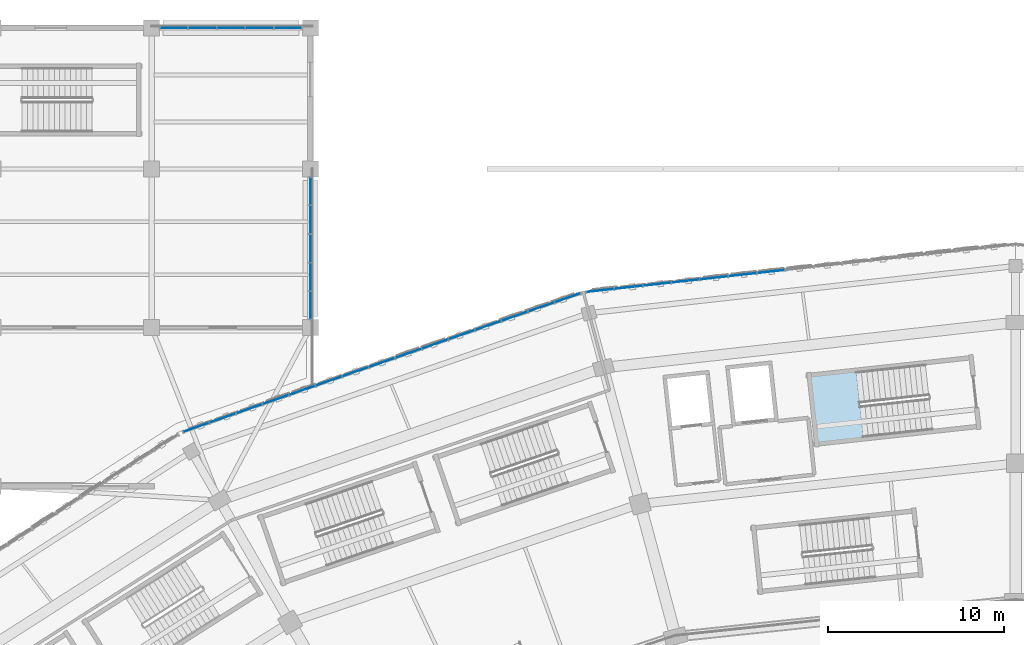
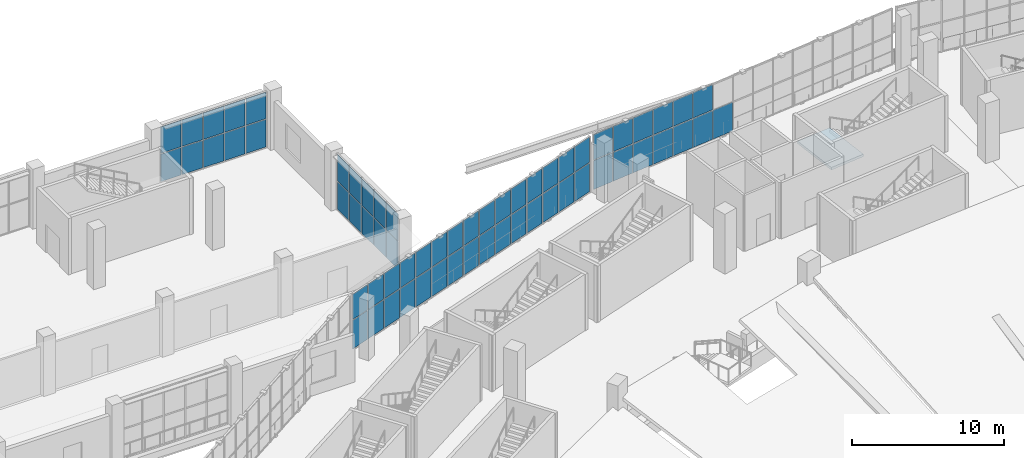
# One storey, part 91 of 183: 63 plates, 1 slab, 5 elements without a shape of their own.
"""IFC4 building model written with IfcOpenShell, lengths in metres."""

from ifc_helpers import new_model, si_unit, direction, frame, origin, origin_2d, place, context, subcontext, project, spatial, polyline, rectangle, outline, extrude, material, layer, layer_set, type_object, element, aggregate, save


model = new_model("IFC4")

# Units and contexts
model_context = context("Model", 3, precision=1e-05, world=origin(), true_north=direction((0.0, 1.0)))
body_context = subcontext(model_context, "Body", "Model", "MODEL_VIEW")
ifc_project = project(units=[si_unit("LENGTHUNIT", "METRE"), si_unit("AREAUNIT", "SQUARE_METRE"), si_unit("VOLUMEUNIT", "CUBIC_METRE"), si_unit("PLANEANGLEUNIT", "RADIAN"), si_unit("MASSUNIT", "GRAM", prefix="KILO")], contexts=[model_context])

# Site, building, storey
site_placement = place(None, origin())
site = spatial("IfcSite", under=ifc_project, at=site_placement, CompositionType="ELEMENT")
building_placement = place(site_placement, origin())
building = spatial("IfcBuilding", under=site, at=building_placement, Name="Zevraka Park Crest Stadium", CompositionType="ELEMENT")
storey_placement = place(building_placement, frame((0.0, 0.0, 5.39990234375)))
storey = spatial("IfcBuildingStorey", under=building, at=storey_placement, Name="L01", CompositionType="ELEMENT", Elevation=5.39990234375)

# Curtain wall, plates
ifc_material_1 = material(Name="Anodised architectural aluminium and laminated safety glass", Category="aluminium")
curtain_wall_type_1 = type_object("IfcCurtainWallType", Name="CW01", PredefinedType="NOTDEFINED", material=ifc_material_1)
curtain_wall_1_placement = place(storey_placement, origin())
curtain_wall_1 = element("IfcCurtainWall", 1, at=curtain_wall_1_placement, inside=storey, type_object=curtain_wall_type_1, Name="Unitised Ring Curtain Wall CW01 L01-06", PredefinedType="NOTDEFINED")
ifc_material_2 = material(Name="Solar-control laminated double glazing", Category="glass")
ifc_layer_1 = layer(ifc_material_2, 0.028076171875)
ifc_layer_set_1 = layer_set([ifc_layer_1], Name="Solar-control laminated double glazing")
plate_type_1 = type_object("IfcPlateType", Name="CP01", PredefinedType="CURTAIN_PANEL", material=ifc_layer_set_1)
plate_1_placement = place(storey_placement, frame((98.123779296875, 170.181884765625, 0.06005859375), z_axis=(0.0, 0.0, 1.0), x_axis=(-0.993916668414, -0.110134718639, 0.0)))
plate_1 = element("IfcPlate", 2, at=plate_1_placement, type_object=plate_type_1, Name="CW01 panel 9.1", PredefinedType="CURTAIN_PANEL", context=body_context, shape_type="SweptSolid", body=[
    extrude(rectangle(XDim=1.567138671875, YDim=0.028076171875, at=origin_2d()), origin(), (0.0, 0.0, 1.0), 2.31005859375),
])
plate_2_placement = place(storey_placement, frame((96.506591796875, 170.002685546875, 0.06005859375), z_axis=(0.0, 0.0, 1.0), x_axis=(-0.993916668414, -0.110134718639, 0.0)))
plate_2 = element("IfcPlate", 3, at=plate_2_placement, type_object=plate_type_1, Name="CW01 panel 10.1", PredefinedType="CURTAIN_PANEL", context=body_context, shape_type="SweptSolid", body=[
    extrude(rectangle(XDim=1.567138671875, YDim=0.028076171875, at=origin_2d()), origin(), (0.0, 0.0, 1.0), 2.31005859375),
])
plate_3_placement = place(storey_placement, frame((96.506591796875, 170.002685546875, 2.43017578125), z_axis=(0.0, 0.0, 1.0), x_axis=(-0.993916668414, -0.110134718639, 0.0)))
plate_3 = element("IfcPlate", 4, at=plate_3_placement, type_object=plate_type_1, Name="CW01 panel 10.2", PredefinedType="CURTAIN_PANEL", context=body_context, shape_type="SweptSolid", body=[
    extrude(rectangle(XDim=1.567138671875, YDim=0.028076171875, at=origin_2d()), origin(), (0.0, 0.0, 1.0), 2.030029296875),
])
plate_4_placement = place(storey_placement, frame((94.889404296875, 169.823486328125, 0.06005859375), z_axis=(0.0, 0.0, 1.0), x_axis=(-0.993916668414, -0.110134718639, 0.0)))
plate_4 = element("IfcPlate", 5, at=plate_4_placement, type_object=plate_type_1, Name="CW01 panel 11.1", PredefinedType="CURTAIN_PANEL", context=body_context, shape_type="SweptSolid", body=[
    extrude(rectangle(XDim=1.567138671875, YDim=0.028076171875, at=origin_2d()), origin(), (0.0, 0.0, 1.0), 2.31005859375),
])
plate_5_placement = place(storey_placement, frame((94.889404296875, 169.823486328125, 2.43017578125), z_axis=(0.0, 0.0, 1.0), x_axis=(-0.993916668414, -0.110134718639, 0.0)))
plate_5 = element("IfcPlate", 6, at=plate_5_placement, type_object=plate_type_1, Name="CW01 panel 11.2", PredefinedType="CURTAIN_PANEL", context=body_context, shape_type="SweptSolid", body=[
    extrude(rectangle(XDim=1.567138671875, YDim=0.028076171875, at=origin_2d()), origin(), (0.0, 0.0, 1.0), 2.030029296875),
])
plate_6_placement = place(storey_placement, frame((93.272216796875, 169.644287109375, 0.06005859375), z_axis=(0.0, 0.0, 1.0), x_axis=(-0.993916668414, -0.110134718639, 0.0)))
plate_6 = element("IfcPlate", 7, at=plate_6_placement, type_object=plate_type_1, Name="CW01 panel 12.1", PredefinedType="CURTAIN_PANEL", context=body_context, shape_type="SweptSolid", body=[
    extrude(rectangle(XDim=1.567138671875, YDim=0.028076171875, at=origin_2d()), origin(), (0.0, 0.0, 1.0), 2.31005859375),
])
plate_7_placement = place(storey_placement, frame((93.272216796875, 169.644287109375, 2.43017578125), z_axis=(0.0, 0.0, 1.0), x_axis=(-0.993916668414, -0.110134718639, 0.0)))
plate_7 = element("IfcPlate", 8, at=plate_7_placement, type_object=plate_type_1, Name="CW01 panel 12.2", PredefinedType="CURTAIN_PANEL", context=body_context, shape_type="SweptSolid", body=[
    extrude(rectangle(XDim=1.567138671875, YDim=0.028076171875, at=origin_2d()), origin(), (0.0, 0.0, 1.0), 2.030029296875),
])
plate_8_placement = place(storey_placement, frame((91.655029296875, 169.465087890625, 0.06005859375), z_axis=(0.0, 0.0, 1.0), x_axis=(-0.993916668414, -0.110134718639, 0.0)))
plate_8 = element("IfcPlate", 9, at=plate_8_placement, type_object=plate_type_1, Name="CW01 panel 13.1", PredefinedType="CURTAIN_PANEL", context=body_context, shape_type="SweptSolid", body=[
    extrude(rectangle(XDim=1.567138671875, YDim=0.028076171875, at=origin_2d()), origin(), (0.0, 0.0, 1.0), 2.31005859375),
])
plate_9_placement = place(storey_placement, frame((91.655029296875, 169.465087890625, 2.43017578125), z_axis=(0.0, 0.0, 1.0), x_axis=(-0.993916668414, -0.110134718639, 0.0)))
plate_9 = element("IfcPlate", 10, at=plate_9_placement, type_object=plate_type_1, Name="CW01 panel 13.2", PredefinedType="CURTAIN_PANEL", context=body_context, shape_type="SweptSolid", body=[
    extrude(rectangle(XDim=1.567138671875, YDim=0.028076171875, at=origin_2d()), origin(), (0.0, 0.0, 1.0), 2.030029296875),
])
plate_10_placement = place(storey_placement, frame((90.037841796875, 169.285888671875, 0.06005859375), z_axis=(0.0, 0.0, 1.0), x_axis=(-0.993916668414, -0.110134718639, 0.0)))
plate_10 = element("IfcPlate", 11, at=plate_10_placement, type_object=plate_type_1, Name="CW01 panel 14.1", PredefinedType="CURTAIN_PANEL", context=body_context, shape_type="SweptSolid", body=[
    extrude(rectangle(XDim=1.567138671875, YDim=0.028076171875, at=origin_2d()), origin(), (0.0, 0.0, 1.0), 2.31005859375),
])
plate_11_placement = place(storey_placement, frame((90.037841796875, 169.285888671875, 2.43017578125), z_axis=(0.0, 0.0, 1.0), x_axis=(-0.993916668414, -0.110134718639, 0.0)))
plate_11 = element("IfcPlate", 12, at=plate_11_placement, type_object=plate_type_1, Name="CW01 panel 14.2", PredefinedType="CURTAIN_PANEL", context=body_context, shape_type="SweptSolid", body=[
    extrude(rectangle(XDim=1.567138671875, YDim=0.028076171875, at=origin_2d()), origin(), (0.0, 0.0, 1.0), 2.030029296875),
])
plate_12_placement = place(storey_placement, frame((88.435546875, 169.108154296875, 0.06005859375), z_axis=(0.0, 0.0, 1.0), x_axis=(-0.993916668414, -0.110134718639, 0.0)))
plate_12 = element("IfcPlate", 13, at=plate_12_placement, type_object=plate_type_1, Name="CW01 panel 15.1", PredefinedType="CURTAIN_PANEL", context=body_context, shape_type="SweptSolid", body=[
    extrude(rectangle(XDim=1.537109375, YDim=0.028076171875, at=origin_2d()), origin(), (0.0, 0.0, 1.0), 2.31005859375),
])
plate_13_placement = place(storey_placement, frame((88.435546875, 169.108154296875, 2.43017578125), z_axis=(0.0, 0.0, 1.0), x_axis=(-0.993916668414, -0.110134718639, 0.0)))
plate_13 = element("IfcPlate", 14, at=plate_13_placement, type_object=plate_type_1, Name="CW01 panel 15.2", PredefinedType="CURTAIN_PANEL", context=body_context, shape_type="SweptSolid", body=[
    extrude(rectangle(XDim=1.537109375, YDim=0.028076171875, at=origin_2d()), origin(), (0.0, 0.0, 1.0), 2.030029296875),
])
aggregate(curtain_wall_1, [plate_1, plate_2, plate_3, plate_4, plate_5, plate_6, plate_7, plate_8, plate_9, plate_10, plate_11, plate_12, plate_13])

ifc_material_3 = material(Name="Anodised architectural aluminium and laminated safety glass", Category="aluminium")
curtain_wall_type_2 = type_object("IfcCurtainWallType", Name="CW02", PredefinedType="NOTDEFINED", material=ifc_material_3)
curtain_wall_2_placement = place(storey_placement, origin())
curtain_wall_2 = element("IfcCurtainWall", 15, at=curtain_wall_2_placement, inside=storey, type_object=curtain_wall_type_2, Name="Unitised Ring Curtain Wall CW02 L01-07", PredefinedType="NOTDEFINED")
ifc_material_4 = material(Name="Solar-control laminated double glazing", Category="glass")
ifc_layer_2 = layer(ifc_material_4, 0.028076171875)
ifc_layer_set_2 = layer_set([ifc_layer_2], Name="Solar-control laminated double glazing")
plate_type_2 = type_object("IfcPlateType", Name="CP02", PredefinedType="CURTAIN_PANEL", material=ifc_layer_set_2)
plate_14_placement = place(storey_placement, frame((86.58935546875, 168.69091796875, 0.06494140625), z_axis=(0.0, 0.0, 1.0), x_axis=(-0.944256979565, -0.329209289879, 0.0)))
plate_14 = element("IfcPlate", 16, at=plate_14_placement, type_object=plate_type_2, Name="CW02 panel 1.1", PredefinedType="CURTAIN_PANEL", context=body_context, shape_type="SweptSolid", body=[
    extrude(rectangle(XDim=1.498046875, YDim=0.028076171875, at=origin_2d()), origin(), (0.0, 0.0, 1.0), 2.302490234375),
])
plate_15_placement = place(storey_placement, frame((86.58935546875, 168.69091796875, 2.4326171875), z_axis=(0.0, 0.0, 1.0), x_axis=(-0.944256979565, -0.329209289879, 0.0)))
plate_15 = element("IfcPlate", 17, at=plate_15_placement, type_object=plate_type_2, Name="CW02 panel 1.2", PredefinedType="CURTAIN_PANEL", context=body_context, shape_type="SweptSolid", body=[
    extrude(rectangle(XDim=1.498046875, YDim=0.028076171875, at=origin_2d()), origin(), (0.0, 0.0, 1.0), 2.0224609375),
])
plate_16_placement = place(storey_placement, frame((85.09814453125, 168.171142578125, 0.06494140625), z_axis=(0.0, 0.0, 1.0), x_axis=(-0.944256979565, -0.329209289879, 0.0)))
plate_16 = element("IfcPlate", 18, at=plate_16_placement, type_object=plate_type_2, Name="CW02 panel 2.1", PredefinedType="CURTAIN_PANEL", context=body_context, shape_type="SweptSolid", body=[
    extrude(rectangle(XDim=1.530517578125, YDim=0.028076171875, at=origin_2d()), origin(), (0.0, 0.0, 1.0), 2.302490234375),
])
plate_17_placement = place(storey_placement, frame((85.09814453125, 168.171142578125, 2.4326171875), z_axis=(0.0, 0.0, 1.0), x_axis=(-0.944256979565, -0.329209289879, 0.0)))
plate_17 = element("IfcPlate", 19, at=plate_17_placement, type_object=plate_type_2, Name="CW02 panel 2.2", PredefinedType="CURTAIN_PANEL", context=body_context, shape_type="SweptSolid", body=[
    extrude(rectangle(XDim=1.530517578125, YDim=0.028076171875, at=origin_2d()), origin(), (0.0, 0.0, 1.0), 2.0224609375),
])
plate_18_placement = place(storey_placement, frame((83.591552734375, 167.645751953125, 0.06494140625), z_axis=(0.0, 0.0, 1.0), x_axis=(-0.944256979565, -0.329209289879, 0.0)))
plate_18 = element("IfcPlate", 20, at=plate_18_placement, type_object=plate_type_2, Name="CW02 panel 3.1", PredefinedType="CURTAIN_PANEL", context=body_context, shape_type="SweptSolid", body=[
    extrude(rectangle(XDim=1.530517578125, YDim=0.028076171875, at=origin_2d()), origin(), (0.0, 0.0, 1.0), 2.302490234375),
])
plate_19_placement = place(storey_placement, frame((83.591552734375, 167.645751953125, 2.4326171875), z_axis=(0.0, 0.0, 1.0), x_axis=(-0.944256979565, -0.329209289879, 0.0)))
plate_19 = element("IfcPlate", 21, at=plate_19_placement, type_object=plate_type_2, Name="CW02 panel 3.2", PredefinedType="CURTAIN_PANEL", context=body_context, shape_type="SweptSolid", body=[
    extrude(rectangle(XDim=1.530517578125, YDim=0.028076171875, at=origin_2d()), origin(), (0.0, 0.0, 1.0), 2.0224609375),
])
plate_20_placement = place(storey_placement, frame((82.0849609375, 167.12060546875, 0.06494140625), z_axis=(0.0, 0.0, 1.0), x_axis=(-0.944256979565, -0.329209289879, 0.0)))
plate_20 = element("IfcPlate", 22, at=plate_20_placement, type_object=plate_type_2, Name="CW02 panel 4.1", PredefinedType="CURTAIN_PANEL", context=body_context, shape_type="SweptSolid", body=[
    extrude(rectangle(XDim=1.530517578125, YDim=0.028076171875, at=origin_2d()), origin(), (0.0, 0.0, 1.0), 2.302490234375),
])
plate_21_placement = place(storey_placement, frame((82.0849609375, 167.12060546875, 2.4326171875), z_axis=(0.0, 0.0, 1.0), x_axis=(-0.944256979565, -0.329209289879, 0.0)))
plate_21 = element("IfcPlate", 23, at=plate_21_placement, type_object=plate_type_2, Name="CW02 panel 4.2", PredefinedType="CURTAIN_PANEL", context=body_context, shape_type="SweptSolid", body=[
    extrude(rectangle(XDim=1.530517578125, YDim=0.028076171875, at=origin_2d()), origin(), (0.0, 0.0, 1.0), 2.0224609375),
])
plate_22_placement = place(storey_placement, frame((80.578369140625, 166.59521484375, 0.06494140625), z_axis=(0.0, 0.0, 1.0), x_axis=(-0.944256979565, -0.329209289879, 0.0)))
plate_22 = element("IfcPlate", 24, at=plate_22_placement, type_object=plate_type_2, Name="CW02 panel 5.1", PredefinedType="CURTAIN_PANEL", context=body_context, shape_type="SweptSolid", body=[
    extrude(rectangle(XDim=1.530517578125, YDim=0.028076171875, at=origin_2d()), origin(), (0.0, 0.0, 1.0), 2.302490234375),
])
plate_23_placement = place(storey_placement, frame((80.578369140625, 166.59521484375, 2.4326171875), z_axis=(0.0, 0.0, 1.0), x_axis=(-0.944256979565, -0.329209289879, 0.0)))
plate_23 = element("IfcPlate", 25, at=plate_23_placement, type_object=plate_type_2, Name="CW02 panel 5.2", PredefinedType="CURTAIN_PANEL", context=body_context, shape_type="SweptSolid", body=[
    extrude(rectangle(XDim=1.530517578125, YDim=0.028076171875, at=origin_2d()), origin(), (0.0, 0.0, 1.0), 2.0224609375),
])
plate_24_placement = place(storey_placement, frame((79.07177734375, 166.070068359375, 0.06494140625), z_axis=(0.0, 0.0, 1.0), x_axis=(-0.944256979565, -0.329209289879, 0.0)))
plate_24 = element("IfcPlate", 26, at=plate_24_placement, type_object=plate_type_2, Name="CW02 panel 6.1", PredefinedType="CURTAIN_PANEL", context=body_context, shape_type="SweptSolid", body=[
    extrude(rectangle(XDim=1.530517578125, YDim=0.028076171875, at=origin_2d()), origin(), (0.0, 0.0, 1.0), 2.302490234375),
])
plate_25_placement = place(storey_placement, frame((79.07177734375, 166.070068359375, 2.4326171875), z_axis=(0.0, 0.0, 1.0), x_axis=(-0.944256979565, -0.329209289879, 0.0)))
plate_25 = element("IfcPlate", 27, at=plate_25_placement, type_object=plate_type_2, Name="CW02 panel 6.2", PredefinedType="CURTAIN_PANEL", context=body_context, shape_type="SweptSolid", body=[
    extrude(rectangle(XDim=1.530517578125, YDim=0.028076171875, at=origin_2d()), origin(), (0.0, 0.0, 1.0), 2.0224609375),
])
plate_26_placement = place(storey_placement, frame((77.565185546875, 165.544677734375, 0.06494140625), z_axis=(0.0, 0.0, 1.0), x_axis=(-0.944256979565, -0.329209289879, 0.0)))
plate_26 = element("IfcPlate", 28, at=plate_26_placement, type_object=plate_type_2, Name="CW02 panel 7.1", PredefinedType="CURTAIN_PANEL", context=body_context, shape_type="SweptSolid", body=[
    extrude(rectangle(XDim=1.530517578125, YDim=0.028076171875, at=origin_2d()), origin(), (0.0, 0.0, 1.0), 2.302490234375),
])
plate_27_placement = place(storey_placement, frame((77.565185546875, 165.544677734375, 2.4326171875), z_axis=(0.0, 0.0, 1.0), x_axis=(-0.944256979565, -0.329209289879, 0.0)))
plate_27 = element("IfcPlate", 29, at=plate_27_placement, type_object=plate_type_2, Name="CW02 panel 7.2", PredefinedType="CURTAIN_PANEL", context=body_context, shape_type="SweptSolid", body=[
    extrude(rectangle(XDim=1.530517578125, YDim=0.028076171875, at=origin_2d()), origin(), (0.0, 0.0, 1.0), 2.0224609375),
])
plate_28_placement = place(storey_placement, frame((76.05859375, 165.01953125, 0.06494140625), z_axis=(0.0, 0.0, 1.0), x_axis=(-0.944256979565, -0.329209289879, 0.0)))
plate_28 = element("IfcPlate", 30, at=plate_28_placement, type_object=plate_type_2, Name="CW02 panel 8.1", PredefinedType="CURTAIN_PANEL", context=body_context, shape_type="SweptSolid", body=[
    extrude(rectangle(XDim=1.530517578125, YDim=0.028076171875, at=origin_2d()), origin(), (0.0, 0.0, 1.0), 2.302490234375),
])
plate_29_placement = place(storey_placement, frame((76.05859375, 165.01953125, 2.4326171875), z_axis=(0.0, 0.0, 1.0), x_axis=(-0.944256979565, -0.329209289879, 0.0)))
plate_29 = element("IfcPlate", 31, at=plate_29_placement, type_object=plate_type_2, Name="CW02 panel 8.2", PredefinedType="CURTAIN_PANEL", context=body_context, shape_type="SweptSolid", body=[
    extrude(rectangle(XDim=1.530517578125, YDim=0.028076171875, at=origin_2d()), origin(), (0.0, 0.0, 1.0), 2.0224609375),
])
plate_30_placement = place(storey_placement, frame((74.552001953125, 164.494140625, 0.06494140625), z_axis=(0.0, 0.0, 1.0), x_axis=(-0.944256979565, -0.329209289879, 0.0)))
plate_30 = element("IfcPlate", 32, at=plate_30_placement, type_object=plate_type_2, Name="CW02 panel 9.1", PredefinedType="CURTAIN_PANEL", context=body_context, shape_type="SweptSolid", body=[
    extrude(rectangle(XDim=1.530517578125, YDim=0.028076171875, at=origin_2d()), origin(), (0.0, 0.0, 1.0), 2.302490234375),
])
plate_31_placement = place(storey_placement, frame((74.552001953125, 164.494140625, 2.4326171875), z_axis=(0.0, 0.0, 1.0), x_axis=(-0.944256979565, -0.329209289879, 0.0)))
plate_31 = element("IfcPlate", 33, at=plate_31_placement, type_object=plate_type_2, Name="CW02 panel 9.2", PredefinedType="CURTAIN_PANEL", context=body_context, shape_type="SweptSolid", body=[
    extrude(rectangle(XDim=1.530517578125, YDim=0.028076171875, at=origin_2d()), origin(), (0.0, 0.0, 1.0), 2.0224609375),
])
plate_32_placement = place(storey_placement, frame((73.04541015625, 163.968994140625, 0.06494140625), z_axis=(0.0, 0.0, 1.0), x_axis=(-0.944256979565, -0.329209289879, 0.0)))
plate_32 = element("IfcPlate", 34, at=plate_32_placement, type_object=plate_type_2, Name="CW02 panel 10.1", PredefinedType="CURTAIN_PANEL", context=body_context, shape_type="SweptSolid", body=[
    extrude(rectangle(XDim=1.530517578125, YDim=0.028076171875, at=origin_2d()), origin(), (0.0, 0.0, 1.0), 2.302490234375),
])
plate_33_placement = place(storey_placement, frame((73.04541015625, 163.968994140625, 2.4326171875), z_axis=(0.0, 0.0, 1.0), x_axis=(-0.944256979565, -0.329209289879, 0.0)))
plate_33 = element("IfcPlate", 35, at=plate_33_placement, type_object=plate_type_2, Name="CW02 panel 10.2", PredefinedType="CURTAIN_PANEL", context=body_context, shape_type="SweptSolid", body=[
    extrude(rectangle(XDim=1.530517578125, YDim=0.028076171875, at=origin_2d()), origin(), (0.0, 0.0, 1.0), 2.0224609375),
])
plate_34_placement = place(storey_placement, frame((71.538818359375, 163.443603515625, 0.06494140625), z_axis=(0.0, 0.0, 1.0), x_axis=(-0.944256979565, -0.329209289879, 0.0)))
plate_34 = element("IfcPlate", 36, at=plate_34_placement, type_object=plate_type_2, Name="CW02 panel 11.1", PredefinedType="CURTAIN_PANEL", context=body_context, shape_type="SweptSolid", body=[
    extrude(rectangle(XDim=1.530517578125, YDim=0.028076171875, at=origin_2d()), origin(), (0.0, 0.0, 1.0), 2.302490234375),
])
plate_35_placement = place(storey_placement, frame((71.538818359375, 163.443603515625, 2.4326171875), z_axis=(0.0, 0.0, 1.0), x_axis=(-0.944256979565, -0.329209289879, 0.0)))
plate_35 = element("IfcPlate", 37, at=plate_35_placement, type_object=plate_type_2, Name="CW02 panel 11.2", PredefinedType="CURTAIN_PANEL", context=body_context, shape_type="SweptSolid", body=[
    extrude(rectangle(XDim=1.530517578125, YDim=0.028076171875, at=origin_2d()), origin(), (0.0, 0.0, 1.0), 2.0224609375),
])
plate_36_placement = place(storey_placement, frame((70.031982421875, 162.91845703125, 0.06494140625), z_axis=(0.0, 0.0, 1.0), x_axis=(-0.944256979565, -0.329209289879, 0.0)))
plate_36 = element("IfcPlate", 38, at=plate_36_placement, type_object=plate_type_2, Name="CW02 panel 12.1", PredefinedType="CURTAIN_PANEL", context=body_context, shape_type="SweptSolid", body=[
    extrude(rectangle(XDim=1.530517578125, YDim=0.028076171875, at=origin_2d()), origin(), (0.0, 0.0, 1.0), 2.302490234375),
])
plate_37_placement = place(storey_placement, frame((70.031982421875, 162.91845703125, 2.4326171875), z_axis=(0.0, 0.0, 1.0), x_axis=(-0.944256979565, -0.329209289879, 0.0)))
plate_37 = element("IfcPlate", 39, at=plate_37_placement, type_object=plate_type_2, Name="CW02 panel 12.2", PredefinedType="CURTAIN_PANEL", context=body_context, shape_type="SweptSolid", body=[
    extrude(rectangle(XDim=1.530517578125, YDim=0.028076171875, at=origin_2d()), origin(), (0.0, 0.0, 1.0), 2.0224609375),
])
plate_38_placement = place(storey_placement, frame((68.525390625, 162.39306640625, 0.06494140625), z_axis=(0.0, 0.0, 1.0), x_axis=(-0.944256979565, -0.329209289879, 0.0)))
plate_38 = element("IfcPlate", 40, at=plate_38_placement, type_object=plate_type_2, Name="CW02 panel 13.1", PredefinedType="CURTAIN_PANEL", context=body_context, shape_type="SweptSolid", body=[
    extrude(rectangle(XDim=1.530517578125, YDim=0.028076171875, at=origin_2d()), origin(), (0.0, 0.0, 1.0), 2.302490234375),
])
plate_39_placement = place(storey_placement, frame((68.525390625, 162.39306640625, 2.4326171875), z_axis=(0.0, 0.0, 1.0), x_axis=(-0.944256979565, -0.329209289879, 0.0)))
plate_39 = element("IfcPlate", 41, at=plate_39_placement, type_object=plate_type_2, Name="CW02 panel 13.2", PredefinedType="CURTAIN_PANEL", context=body_context, shape_type="SweptSolid", body=[
    extrude(rectangle(XDim=1.530517578125, YDim=0.028076171875, at=origin_2d()), origin(), (0.0, 0.0, 1.0), 2.0224609375),
])
plate_40_placement = place(storey_placement, frame((67.018798828125, 161.867919921875, 0.06494140625), z_axis=(0.0, 0.0, 1.0), x_axis=(-0.944256979565, -0.329209289879, 0.0)))
plate_40 = element("IfcPlate", 42, at=plate_40_placement, type_object=plate_type_2, Name="CW02 panel 14.1", PredefinedType="CURTAIN_PANEL", context=body_context, shape_type="SweptSolid", body=[
    extrude(rectangle(XDim=1.530517578125, YDim=0.028076171875, at=origin_2d()), origin(), (0.0, 0.0, 1.0), 2.302490234375),
])
plate_41_placement = place(storey_placement, frame((67.018798828125, 161.867919921875, 2.4326171875), z_axis=(0.0, 0.0, 1.0), x_axis=(-0.944256979565, -0.329209289879, 0.0)))
plate_41 = element("IfcPlate", 43, at=plate_41_placement, type_object=plate_type_2, Name="CW02 panel 14.2", PredefinedType="CURTAIN_PANEL", context=body_context, shape_type="SweptSolid", body=[
    extrude(rectangle(XDim=1.530517578125, YDim=0.028076171875, at=origin_2d()), origin(), (0.0, 0.0, 1.0), 2.0224609375),
])
plate_42_placement = place(storey_placement, frame((65.527587890625, 161.347900390625, 0.06494140625), z_axis=(0.0, 0.0, 1.0), x_axis=(-0.944256979565, -0.329209289879, 0.0)))
plate_42 = element("IfcPlate", 44, at=plate_42_placement, type_object=plate_type_2, Name="CW02 panel 15.1", PredefinedType="CURTAIN_PANEL", context=body_context, shape_type="SweptSolid", body=[
    extrude(rectangle(XDim=1.498046875, YDim=0.028076171875, at=origin_2d()), origin(), (0.0, 0.0, 1.0), 2.302490234375),
])
plate_43_placement = place(storey_placement, frame((65.527587890625, 161.347900390625, 2.4326171875), z_axis=(0.0, 0.0, 1.0), x_axis=(-0.944256979565, -0.329209289879, 0.0)))
plate_43 = element("IfcPlate", 45, at=plate_43_placement, type_object=plate_type_2, Name="CW02 panel 15.2", PredefinedType="CURTAIN_PANEL", context=body_context, shape_type="SweptSolid", body=[
    extrude(rectangle(XDim=1.498046875, YDim=0.028076171875, at=origin_2d()), origin(), (0.0, 0.0, 1.0), 2.0224609375),
])
aggregate(curtain_wall_2, [plate_14, plate_15, plate_16, plate_17, plate_18, plate_19, plate_20, plate_21, plate_22, plate_23, plate_24, plate_25, plate_26, plate_27, plate_28, plate_29, plate_30, plate_31, plate_32, plate_33, plate_34, plate_35, plate_36, plate_37, plate_38, plate_39, plate_40, plate_41, plate_42, plate_43])

ifc_material_5 = material(Name="Anodised architectural aluminium and laminated safety glass", Category="aluminium")
curtain_wall_type_3 = type_object("IfcCurtainWallType", Name="CW28", PredefinedType="NOTDEFINED", material=ifc_material_5)
curtain_wall_3_placement = place(storey_placement, origin())
curtain_wall_3 = element("IfcCurtainWall", 46, at=curtain_wall_3_placement, inside=storey, type_object=curtain_wall_type_3, Name="Wing Curtain Wall CW28 L01-NW-E1-2", PredefinedType="NOTDEFINED")
ifc_material_6 = material(Name="Solar-control laminated double glazing", Category="glass")
ifc_layer_3 = layer(ifc_material_6, 0.035888671875)
ifc_layer_set_3 = layer_set([ifc_layer_3], Name="Solar-control laminated double glazing")
plate_type_3 = type_object("IfcPlateType", Name="CP28", PredefinedType="CURTAIN_PANEL", material=ifc_layer_set_3)
plate_44_placement = place(storey_placement, frame((72.0, 174.73291015625, 0.06005859375), z_axis=(0.0, 0.0, 1.0), x_axis=(0.0, -1.0, 0.0)))
plate_44 = element("IfcPlate", 47, at=plate_44_placement, type_object=plate_type_3, Name="CW28 panel 1.1", PredefinedType="CURTAIN_PANEL", context=body_context, shape_type="SweptSolid", body=[
    extrude(rectangle(XDim=1.533935546875, YDim=0.035888671875, at=origin_2d()), origin(), (0.0, 0.0, 1.0), 2.2099609375),
])
plate_45_placement = place(storey_placement, frame((72.0, 174.73291015625, 2.330078125), z_axis=(0.0, 0.0, 1.0), x_axis=(0.0, -1.0, 0.0)))
plate_45 = element("IfcPlate", 48, at=plate_45_placement, type_object=plate_type_3, Name="CW28 panel 1.2", PredefinedType="CURTAIN_PANEL", context=body_context, shape_type="SweptSolid", body=[
    extrude(rectangle(XDim=1.533935546875, YDim=0.035888671875, at=origin_2d()), origin(), (0.0, 0.0, 1.0), 2.1298828125),
])
plate_46_placement = place(storey_placement, frame((72.0, 173.1240234375, 0.06005859375), z_axis=(0.0, 0.0, 1.0), x_axis=(0.0, -1.0, 0.0)))
plate_46 = element("IfcPlate", 49, at=plate_46_placement, type_object=plate_type_3, Name="CW28 panel 2.1", PredefinedType="CURTAIN_PANEL", context=body_context, shape_type="SweptSolid", body=[
    extrude(rectangle(XDim=1.56396484375, YDim=0.035888671875, at=origin_2d()), origin(), (0.0, 0.0, 1.0), 2.2099609375),
])
plate_47_placement = place(storey_placement, frame((72.0, 173.1240234375, 2.330078125), z_axis=(0.0, 0.0, 1.0), x_axis=(0.0, -1.0, 0.0)))
plate_47 = element("IfcPlate", 50, at=plate_47_placement, type_object=plate_type_3, Name="CW28 panel 2.2", PredefinedType="CURTAIN_PANEL", context=body_context, shape_type="SweptSolid", body=[
    extrude(rectangle(XDim=1.56396484375, YDim=0.035888671875, at=origin_2d()), origin(), (0.0, 0.0, 1.0), 2.1298828125),
])
plate_48_placement = place(storey_placement, frame((72.0, 171.5, 0.06005859375), z_axis=(0.0, 0.0, 1.0), x_axis=(0.0, -1.0, 0.0)))
plate_48 = element("IfcPlate", 51, at=plate_48_placement, type_object=plate_type_3, Name="CW28 panel 3.1", PredefinedType="CURTAIN_PANEL", context=body_context, shape_type="SweptSolid", body=[
    extrude(rectangle(XDim=1.56396484375, YDim=0.035888671875, at=origin_2d()), origin(), (0.0, 0.0, 1.0), 2.2099609375),
])
plate_49_placement = place(storey_placement, frame((72.0, 171.5, 2.330078125), z_axis=(0.0, 0.0, 1.0), x_axis=(0.0, -1.0, 0.0)))
plate_49 = element("IfcPlate", 52, at=plate_49_placement, type_object=plate_type_3, Name="CW28 panel 3.2", PredefinedType="CURTAIN_PANEL", context=body_context, shape_type="SweptSolid", body=[
    extrude(rectangle(XDim=1.56396484375, YDim=0.035888671875, at=origin_2d()), origin(), (0.0, 0.0, 1.0), 2.1298828125),
])
plate_50_placement = place(storey_placement, frame((72.0, 169.8759765625, 0.06005859375), z_axis=(0.0, 0.0, 1.0), x_axis=(0.0, -1.0, 0.0)))
plate_50 = element("IfcPlate", 53, at=plate_50_placement, type_object=plate_type_3, Name="CW28 panel 4.1", PredefinedType="CURTAIN_PANEL", context=body_context, shape_type="SweptSolid", body=[
    extrude(rectangle(XDim=1.56396484375, YDim=0.035888671875, at=origin_2d()), origin(), (0.0, 0.0, 1.0), 2.2099609375),
])
plate_51_placement = place(storey_placement, frame((72.0, 169.8759765625, 2.330078125), z_axis=(0.0, 0.0, 1.0), x_axis=(0.0, -1.0, 0.0)))
plate_51 = element("IfcPlate", 54, at=plate_51_placement, type_object=plate_type_3, Name="CW28 panel 4.2", PredefinedType="CURTAIN_PANEL", context=body_context, shape_type="SweptSolid", body=[
    extrude(rectangle(XDim=1.56396484375, YDim=0.035888671875, at=origin_2d()), origin(), (0.0, 0.0, 1.0), 2.1298828125),
])
plate_52_placement = place(storey_placement, frame((72.0, 168.26708984375, 0.06005859375), z_axis=(0.0, 0.0, 1.0), x_axis=(0.0, -1.0, 0.0)))
plate_52 = element("IfcPlate", 55, at=plate_52_placement, type_object=plate_type_3, Name="CW28 panel 5.1", PredefinedType="CURTAIN_PANEL", context=body_context, shape_type="SweptSolid", body=[
    extrude(rectangle(XDim=1.533935546875, YDim=0.035888671875, at=origin_2d()), origin(), (0.0, 0.0, 1.0), 2.2099609375),
])
plate_53_placement = place(storey_placement, frame((72.0, 168.26708984375, 2.330078125), z_axis=(0.0, 0.0, 1.0), x_axis=(0.0, -1.0, 0.0)))
plate_53 = element("IfcPlate", 56, at=plate_53_placement, type_object=plate_type_3, Name="CW28 panel 5.2", PredefinedType="CURTAIN_PANEL", context=body_context, shape_type="SweptSolid", body=[
    extrude(rectangle(XDim=1.533935546875, YDim=0.035888671875, at=origin_2d()), origin(), (0.0, 0.0, 1.0), 2.1298828125),
])
aggregate(curtain_wall_3, [plate_44, plate_45, plate_46, plate_47, plate_48, plate_49, plate_50, plate_51, plate_52, plate_53])

ifc_material_7 = material(Name="Anodised architectural aluminium and laminated safety glass", Category="aluminium")
curtain_wall_type_4 = type_object("IfcCurtainWallType", Name="CW29", PredefinedType="NOTDEFINED", material=ifc_material_7)
curtain_wall_4_placement = place(storey_placement, origin())
curtain_wall_4 = element("IfcCurtainWall", 57, at=curtain_wall_4_placement, inside=storey, type_object=curtain_wall_type_4, Name="Wing Curtain Wall CW29 L01-NW-N-8", PredefinedType="NOTDEFINED")
ifc_material_8 = material(Name="Solar-control laminated double glazing", Category="glass")
ifc_layer_4 = layer(ifc_material_8, 0.035888671875)
ifc_layer_set_4 = layer_set([ifc_layer_4], Name="Solar-control laminated double glazing")
plate_type_4 = type_object("IfcPlateType", Name="CP29", PredefinedType="CURTAIN_PANEL", material=ifc_layer_set_4)
plate_54_placement = place(storey_placement, frame((64.268310546875, 184.0, 0.06494140625), z_axis=(0.0, 0.0, 1.0), x_axis=(1.0, 0.0, 0.0)))
plate_54 = element("IfcPlate", 58, at=plate_54_placement, type_object=plate_type_4, Name="CW29 panel 1.1", PredefinedType="CURTAIN_PANEL", context=body_context, shape_type="SweptSolid", body=[
    extrude(rectangle(XDim=1.526611328125, YDim=0.035888671875, at=origin_2d()), origin(), (0.0, 0.0, 1.0), 2.202392578125),
])
plate_55_placement = place(storey_placement, frame((64.268310546875, 184.0, 2.33251953125), z_axis=(0.0, 0.0, 1.0), x_axis=(1.0, 0.0, 0.0)))
plate_55 = element("IfcPlate", 59, at=plate_55_placement, type_object=plate_type_4, Name="CW29 panel 1.2", PredefinedType="CURTAIN_PANEL", context=body_context, shape_type="SweptSolid", body=[
    extrude(rectangle(XDim=1.526611328125, YDim=0.035888671875, at=origin_2d()), origin(), (0.0, 0.0, 1.0), 2.12255859375),
])
plate_56_placement = place(storey_placement, frame((65.8759765625, 184.0, 0.06494140625), z_axis=(0.0, 0.0, 1.0), x_axis=(1.0, 0.0, 0.0)))
plate_56 = element("IfcPlate", 60, at=plate_56_placement, type_object=plate_type_4, Name="CW29 panel 2.1", PredefinedType="CURTAIN_PANEL", context=body_context, shape_type="SweptSolid", body=[
    extrude(rectangle(XDim=1.55908203125, YDim=0.035888671875, at=origin_2d()), origin(), (0.0, 0.0, 1.0), 2.202392578125),
])
plate_57_placement = place(storey_placement, frame((65.8759765625, 184.0, 2.33251953125), z_axis=(0.0, 0.0, 1.0), x_axis=(1.0, 0.0, 0.0)))
plate_57 = element("IfcPlate", 61, at=plate_57_placement, type_object=plate_type_4, Name="CW29 panel 2.2", PredefinedType="CURTAIN_PANEL", context=body_context, shape_type="SweptSolid", body=[
    extrude(rectangle(XDim=1.55908203125, YDim=0.035888671875, at=origin_2d()), origin(), (0.0, 0.0, 1.0), 2.12255859375),
])
plate_58_placement = place(storey_placement, frame((67.5, 184.0, 0.06494140625), z_axis=(0.0, 0.0, 1.0), x_axis=(1.0, 0.0, 0.0)))
plate_58 = element("IfcPlate", 62, at=plate_58_placement, type_object=plate_type_4, Name="CW29 panel 3.1", PredefinedType="CURTAIN_PANEL", context=body_context, shape_type="SweptSolid", body=[
    extrude(rectangle(XDim=1.55908203125, YDim=0.035888671875, at=origin_2d()), origin(), (0.0, 0.0, 1.0), 2.202392578125),
])
plate_59_placement = place(storey_placement, frame((67.5, 184.0, 2.33251953125), z_axis=(0.0, 0.0, 1.0), x_axis=(1.0, 0.0, 0.0)))
plate_59 = element("IfcPlate", 63, at=plate_59_placement, type_object=plate_type_4, Name="CW29 panel 3.2", PredefinedType="CURTAIN_PANEL", context=body_context, shape_type="SweptSolid", body=[
    extrude(rectangle(XDim=1.55908203125, YDim=0.035888671875, at=origin_2d()), origin(), (0.0, 0.0, 1.0), 2.12255859375),
])
plate_60_placement = place(storey_placement, frame((69.1240234375, 184.0, 0.06494140625), z_axis=(0.0, 0.0, 1.0), x_axis=(1.0, 0.0, 0.0)))
plate_60 = element("IfcPlate", 64, at=plate_60_placement, type_object=plate_type_4, Name="CW29 panel 4.1", PredefinedType="CURTAIN_PANEL", context=body_context, shape_type="SweptSolid", body=[
    extrude(rectangle(XDim=1.55908203125, YDim=0.035888671875, at=origin_2d()), origin(), (0.0, 0.0, 1.0), 2.202392578125),
])
plate_61_placement = place(storey_placement, frame((69.1240234375, 184.0, 2.33251953125), z_axis=(0.0, 0.0, 1.0), x_axis=(1.0, 0.0, 0.0)))
plate_61 = element("IfcPlate", 65, at=plate_61_placement, type_object=plate_type_4, Name="CW29 panel 4.2", PredefinedType="CURTAIN_PANEL", context=body_context, shape_type="SweptSolid", body=[
    extrude(rectangle(XDim=1.55908203125, YDim=0.035888671875, at=origin_2d()), origin(), (0.0, 0.0, 1.0), 2.12255859375),
])
plate_62_placement = place(storey_placement, frame((70.731689453125, 184.0, 0.06494140625), z_axis=(0.0, 0.0, 1.0), x_axis=(1.0, 0.0, 0.0)))
plate_62 = element("IfcPlate", 66, at=plate_62_placement, type_object=plate_type_4, Name="CW29 panel 5.1", PredefinedType="CURTAIN_PANEL", context=body_context, shape_type="SweptSolid", body=[
    extrude(rectangle(XDim=1.526611328125, YDim=0.035888671875, at=origin_2d()), origin(), (0.0, 0.0, 1.0), 2.202392578125),
])
plate_63_placement = place(storey_placement, frame((70.731689453125, 184.0, 2.33251953125), z_axis=(0.0, 0.0, 1.0), x_axis=(1.0, 0.0, 0.0)))
plate_63 = element("IfcPlate", 67, at=plate_63_placement, type_object=plate_type_4, Name="CW29 panel 5.2", PredefinedType="CURTAIN_PANEL", context=body_context, shape_type="SweptSolid", body=[
    extrude(rectangle(XDim=1.526611328125, YDim=0.035888671875, at=origin_2d()), origin(), (0.0, 0.0, 1.0), 2.12255859375),
])
aggregate(curtain_wall_4, [plate_54, plate_55, plate_56, plate_57, plate_58, plate_59, plate_60, plate_61, plate_62, plate_63])

# Stair, slab
ifc_material_9 = material(Name="Concrete C35/45", Category="concrete")
stair_type = type_object("IfcStairType", Name="STA2", PredefinedType="HALF_TURN_STAIR", material=ifc_material_9)
stair_placement = place(storey_placement, origin())
stair = element("IfcStair", 68, at=stair_placement, inside=storey, type_object=stair_type, Name="L01 Protected Concourse Exit Stair ST07", PredefinedType="HALF_TURN_STAIR")
ifc_material_10 = material(Name="Concrete C35/45", Category="concrete")
ifc_layer_5 = layer(ifc_material_10, 0.199951171875)
ifc_layer_set_5 = layer_set([ifc_layer_5], Name="Concrete C35/45")
slab_type = type_object("IfcSlabType", Name="LS01", PredefinedType="LANDING", material=ifc_layer_set_5)
slab_placement = place(storey_placement, frame((0.0, 0.0, 2.2001953125)))
slab = element("IfcSlab", 69, at=slab_placement, type_object=slab_type, Name="ST07 landing 1", PredefinedType="LANDING", context=body_context, shape_type="SweptSolid", body=[
    extrude(outline(polyline([(102.9609375, 164.507080078125), (100.3662109375, 164.224609375), (100.77294921875, 160.48681640625), (103.36767578125, 160.769287109375), (102.9609375, 164.507080078125)])), origin(), (0.0, 0.0, 1.0), 0.199951171875),
])
aggregate(stair, [slab])

save(model, "model.ifc")
